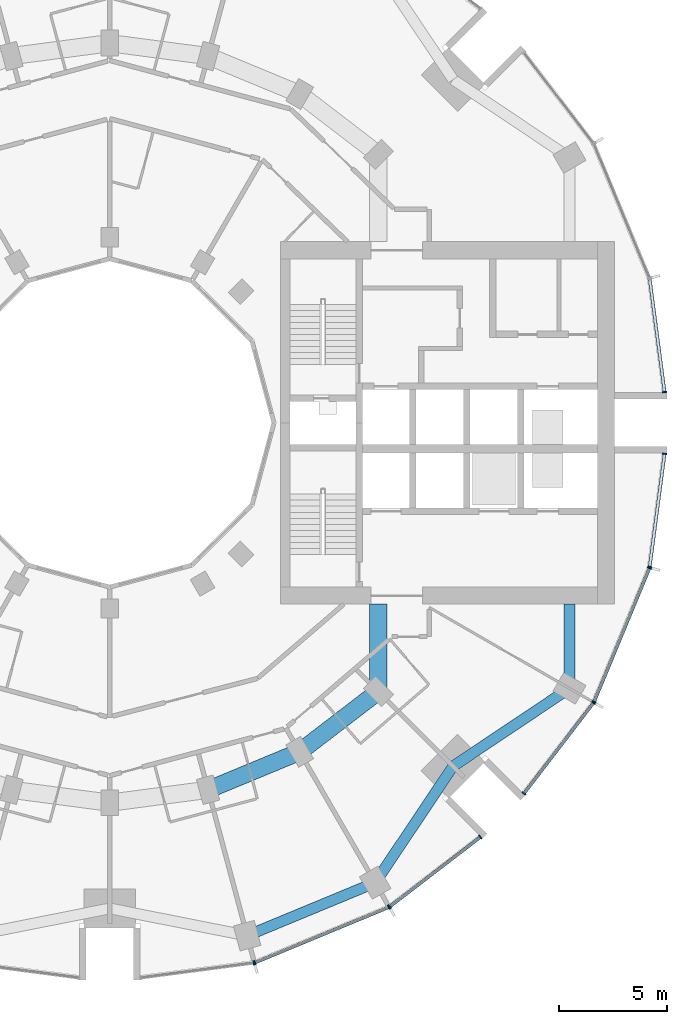
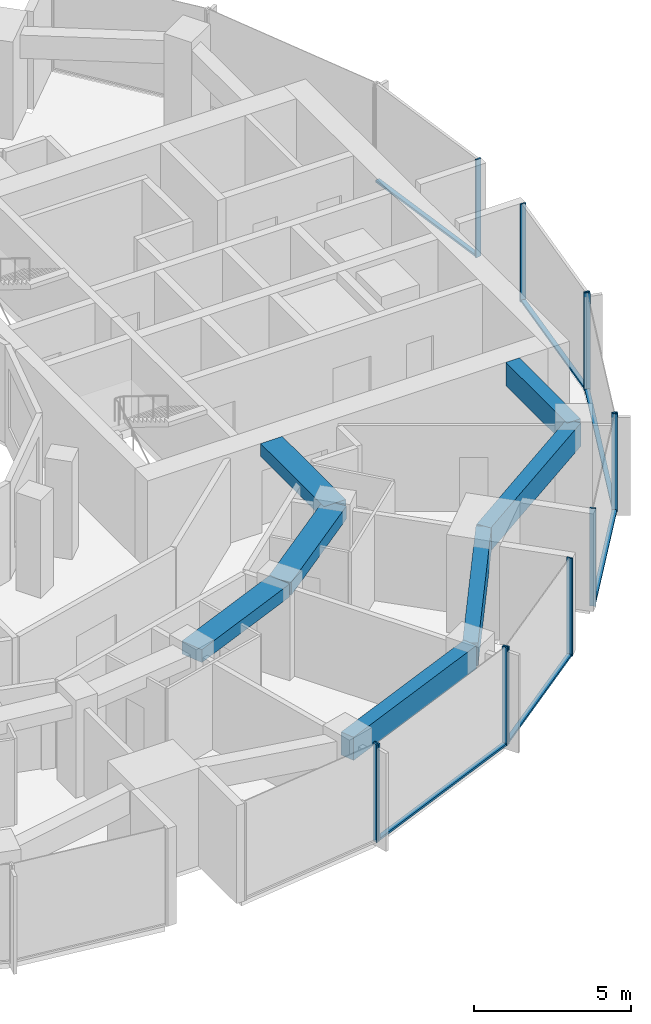
# One storey, part 4 of 15: 18 members, 7 beams, 7 elements without a shape of their own.
"""IFC4 building model written with IfcOpenShell, lengths in metres."""

from ifc_helpers import new_model, si_unit, direction, frame, origin, origin_2d, place, context, subcontext, project, spatial, rectangle, extrude, material, layer, layer_set, material_profile, profile_set, type_object, element, aggregate, save


model = new_model("IFC4")

# Units and contexts
model_context = context("Model", 3, precision=1e-05, world=origin(), true_north=direction((0.0, 1.0)))
body_context = subcontext(model_context, "Body", "Model", "MODEL_VIEW")
ifc_project = project(units=[si_unit("LENGTHUNIT", "METRE"), si_unit("AREAUNIT", "SQUARE_METRE"), si_unit("VOLUMEUNIT", "CUBIC_METRE"), si_unit("PLANEANGLEUNIT", "RADIAN"), si_unit("MASSUNIT", "GRAM", prefix="KILO")], contexts=[model_context])

# Site, building, storey
site_placement = place(None, origin())
site = spatial("IfcSite", under=ifc_project, at=site_placement, CompositionType="ELEMENT")
building_placement = place(site_placement, origin())
building = spatial("IfcBuilding", under=site, at=building_placement, Name="Torre Brocal", CompositionType="ELEMENT")
storey_placement = place(building_placement, frame((0.0, 0.0, 66.800048828125)))
storey = spatial("IfcBuildingStorey", under=building, at=storey_placement, Name="L15", CompositionType="ELEMENT", Elevation=66.800048828125)

# Curtain wall, member
ifc_material_1 = material(Name="Aluminium and glass", Category="aluminium")
ifc_layer_1 = layer(ifc_material_1, 0.199951171875)
ifc_layer_set_1 = layer_set([ifc_layer_1], Name="Aluminium and glass")
curtain_wall_type_1 = type_object("IfcCurtainWallType", Name="CW-1 CURTAIN WALL 3800 HIGH", PredefinedType="NOTDEFINED", material=ifc_layer_set_1)
curtain_wall_1_placement = place(storey_placement, origin())
curtain_wall_1 = element("IfcCurtainWall", 1, at=curtain_wall_1_placement, inside=storey, type_object=curtain_wall_type_1, Name="CW-1 RUN 19", PredefinedType="NOTDEFINED")
ifc_material_2 = material(Name="Aluminium, dark anodised", Category="aluminium")
ifc_material_profile_1 = material_profile(ifc_material_2, rectangle(XDim=0.199951171875, YDim=0.06005859375, at=origin_2d()), Name="CW-1 MULLION 60X200")
ifc_profile_set_1 = profile_set([ifc_material_profile_1], Name="Aluminium, dark anodised")
member_type_1 = type_object("IfcMemberType", Name="CW-1 MULLION 60X200", PredefinedType="MULLION", material=ifc_profile_set_1)
member_1_placement = place(storey_placement, frame((86.67333984375, 49.9794921875, 0.0), z_axis=(0.0, 0.0, 1.0), x_axis=(-0.13052619222, 0.991444861374, 0.0)))
member_1 = element("IfcMember", 2, at=member_1_placement, type_object=member_type_1, Name="CW1-1 mullion 2", PredefinedType="MULLION", context=body_context, shape_type="SweptSolid", body=[
    extrude(rectangle(XDim=0.199951171875, YDim=0.06005859375, at=origin_2d()), origin(), (0.0, 0.0, 1.0), 3.800048828125),
])
aggregate(curtain_wall_1, [member_1])

# Curtain wall, members
curtain_wall_2_placement = place(storey_placement, origin())
curtain_wall_2 = element("IfcCurtainWall", 3, at=curtain_wall_2_placement, inside=storey, type_object=curtain_wall_type_1, Name="CW-1 RUN 20", PredefinedType="NOTDEFINED")
member_2_placement = place(storey_placement, frame((86.73095703125, 49.994873046875, 0.0), z_axis=(0.0, 0.0, 1.0), x_axis=(-0.382683432333, 0.923879532525, 0.0)))
member_2 = element("IfcMember", 4, at=member_2_placement, type_object=member_type_1, Name="CW1-1 mullion 1", PredefinedType="MULLION", context=body_context, shape_type="SweptSolid", body=[
    extrude(rectangle(XDim=0.199951171875, YDim=0.06005859375, at=origin_2d()), origin(), (0.0, 0.0, 1.0), 3.800048828125),
])
member_3_placement = place(storey_placement, frame((92.921875, 52.559326171875, 0.0), z_axis=(0.0, 0.0, 1.0), x_axis=(-0.382683432333, 0.923879532525, 0.0)))
member_3 = element("IfcMember", 5, at=member_3_placement, type_object=member_type_1, Name="CW1-1 mullion 2", PredefinedType="MULLION", context=body_context, shape_type="SweptSolid", body=[
    extrude(rectangle(XDim=0.199951171875, YDim=0.06005859375, at=origin_2d()), origin(), (0.0, 0.0, 1.0), 3.800048828125),
])

curtain_wall_3_placement = place(storey_placement, origin())
curtain_wall_3 = element("IfcCurtainWall", 6, at=curtain_wall_3_placement, inside=storey, type_object=curtain_wall_type_1, Name="CW-1 RUN 21", PredefinedType="NOTDEFINED")
member_4_placement = place(storey_placement, frame((92.973388671875, 52.5888671875, 0.0), z_axis=(0.0, 0.0, 1.0), x_axis=(-0.60876142905, 0.793353340259, 0.0)))
member_4 = element("IfcMember", 7, at=member_4_placement, type_object=member_type_1, Name="CW1-1 mullion 1", PredefinedType="MULLION", context=body_context, shape_type="SweptSolid", body=[
    extrude(rectangle(XDim=0.199951171875, YDim=0.06005859375, at=origin_2d()), origin(), (0.0, 0.0, 1.0), 3.800048828125),
])
member_5_placement = place(storey_placement, frame((97.16943359375, 55.80859375, 0.0), z_axis=(0.0, 0.0, 1.0), x_axis=(-0.60876142905, 0.793353340259, 0.0)))
member_5 = element("IfcMember", 8, at=member_5_placement, type_object=member_type_1, Name="CW1-1 mullion 2", PredefinedType="MULLION", context=body_context, shape_type="SweptSolid", body=[
    extrude(rectangle(XDim=0.199951171875, YDim=0.06005859375, at=origin_2d()), origin(), (0.0, 0.0, 1.0), 3.800048828125),
])

curtain_wall_4_placement = place(storey_placement, origin())
curtain_wall_4 = element("IfcCurtainWall", 9, at=curtain_wall_4_placement, inside=storey, type_object=curtain_wall_type_1, Name="CW-1 RUN 22", PredefinedType="NOTDEFINED")
member_6_placement = place(storey_placement, frame((99.19140625, 57.83056640625, 0.0), z_axis=(0.0, 0.0, 1.0), x_axis=(-0.793353340259, 0.60876142905, 0.0)))
member_6 = element("IfcMember", 10, at=member_6_placement, type_object=member_type_1, Name="CW1-1 mullion 1", PredefinedType="MULLION", context=body_context, shape_type="SweptSolid", body=[
    extrude(rectangle(XDim=0.199951171875, YDim=0.06005859375, at=origin_2d()), origin(), (0.0, 0.0, 1.0), 3.800048828125),
])
member_7_placement = place(storey_placement, frame((102.4111328125, 62.026611328125, 0.0), z_axis=(0.0, 0.0, 1.0), x_axis=(-0.793353340259, 0.60876142905, 0.0)))
member_7 = element("IfcMember", 11, at=member_7_placement, type_object=member_type_1, Name="CW1-1 mullion 2", PredefinedType="MULLION", context=body_context, shape_type="SweptSolid", body=[
    extrude(rectangle(XDim=0.199951171875, YDim=0.06005859375, at=origin_2d()), origin(), (0.0, 0.0, 1.0), 3.800048828125),
])

curtain_wall_5_placement = place(storey_placement, origin())
curtain_wall_5 = element("IfcCurtainWall", 12, at=curtain_wall_5_placement, inside=storey, type_object=curtain_wall_type_1, Name="CW-1 RUN 23", PredefinedType="NOTDEFINED")
member_8_placement = place(storey_placement, frame((102.440673828125, 62.078125, 0.0), z_axis=(0.0, 0.0, 1.0), x_axis=(-0.923879532525, 0.382683432333, 0.0)))
member_8 = element("IfcMember", 13, at=member_8_placement, type_object=member_type_1, Name="CW1-1 mullion 1", PredefinedType="MULLION", context=body_context, shape_type="SweptSolid", body=[
    extrude(rectangle(XDim=0.199951171875, YDim=0.06005859375, at=origin_2d()), origin(), (0.0, 0.0, 1.0), 3.800048828125),
])
member_9_placement = place(storey_placement, frame((105.005126953125, 68.26904296875, 0.0), z_axis=(0.0, 0.0, 1.0), x_axis=(-0.923879532525, 0.382683432333, 0.0)))
member_9 = element("IfcMember", 14, at=member_9_placement, type_object=member_type_1, Name="CW1-1 mullion 2", PredefinedType="MULLION", context=body_context, shape_type="SweptSolid", body=[
    extrude(rectangle(XDim=0.199951171875, YDim=0.06005859375, at=origin_2d()), origin(), (0.0, 0.0, 1.0), 3.800048828125),
])

# Member
ifc_material_3 = material(Name="Aluminium, dark anodised", Category="aluminium")
ifc_material_profile_2 = material_profile(ifc_material_3, rectangle(XDim=0.159912109375, YDim=0.080078125, at=origin_2d()), Name="CW-1 TRANSOM 160X80")
ifc_profile_set_2 = profile_set([ifc_material_profile_2], Name="Aluminium, dark anodised")
member_type_2 = type_object("IfcMemberType", Name="CW-1 TRANSOM 160X80", PredefinedType="USERDEFINED", material=ifc_profile_set_2)
member_10_placement = place(storey_placement, frame((86.758544921875, 50.00634765625, 0.0400390625), z_axis=(0.923887344364, 0.38266457234, 0.0), x_axis=(-0.38266457234, 0.923887344364, 0.0)))
member_10 = element("IfcMember", 15, at=member_10_placement, type_object=member_type_2, Name="CW1-1 transom 1.1", ObjectType="TRANSOM", PredefinedType="USERDEFINED", context=body_context, shape_type="SweptSolid", body=[
    extrude(rectangle(XDim=0.159912109375, YDim=0.080078125, at=origin_2d()), origin(), (0.0, 0.0, 1.0), 6.640869140625),
])

aggregate(curtain_wall_2, [member_2, member_3, member_10])

member_11_placement = place(storey_placement, frame((92.9970703125, 52.607177734375, 0.0400390625), z_axis=(0.79336281513, 0.60874908096, 0.0), x_axis=(-0.60874908096, 0.79336281513, 0.0)))
member_11 = element("IfcMember", 16, at=member_11_placement, type_object=member_type_2, Name="CW1-1 transom 1.1", ObjectType="TRANSOM", PredefinedType="USERDEFINED", context=body_context, shape_type="SweptSolid", body=[
    extrude(rectangle(XDim=0.159912109375, YDim=0.080078125, at=origin_2d()), origin(), (0.0, 0.0, 1.0), 5.22900390625),
])

aggregate(curtain_wall_3, [member_4, member_5, member_11])

member_12_placement = place(storey_placement, frame((99.209716796875, 57.8544921875, 0.0400390625), z_axis=(0.60874908096, 0.79336281513, 0.0), x_axis=(-0.79336281513, 0.60874908096, 0.0)))
member_12 = element("IfcMember", 17, at=member_12_placement, type_object=member_type_2, Name="CW1-1 transom 1.1", ObjectType="TRANSOM", PredefinedType="USERDEFINED", context=body_context, shape_type="SweptSolid", body=[
    extrude(rectangle(XDim=0.159912109375, YDim=0.080078125, at=origin_2d()), origin(), (0.0, 0.0, 1.0), 5.22900390625),
])

aggregate(curtain_wall_4, [member_6, member_7, member_12])

member_13_placement = place(storey_placement, frame((102.452392578125, 62.10595703125, 0.0400390625), z_axis=(0.38266457234, 0.923887344364, 0.0), x_axis=(-0.923887344364, 0.38266457234, 0.0)))
member_13 = element("IfcMember", 18, at=member_13_placement, type_object=member_type_2, Name="CW1-1 transom 1.1", ObjectType="TRANSOM", PredefinedType="USERDEFINED", context=body_context, shape_type="SweptSolid", body=[
    extrude(rectangle(XDim=0.159912109375, YDim=0.080078125, at=origin_2d()), origin(), (0.0, 0.0, 1.0), 6.640869140625),
])

aggregate(curtain_wall_5, [member_8, member_9, member_13])

# Curtain wall, member
ifc_material_4 = material(Name="Aluminium and glass", Category="aluminium")
ifc_layer_2 = layer(ifc_material_4, 0.199951171875)
ifc_layer_set_2 = layer_set([ifc_layer_2], Name="Aluminium and glass")
curtain_wall_type_2 = type_object("IfcCurtainWallType", Name="CW-1B CURTAIN WALL 3800 HIGH", PredefinedType="NOTDEFINED", material=ifc_layer_set_2)
curtain_wall_6_placement = place(storey_placement, origin())
curtain_wall_6 = element("IfcCurtainWall", 19, at=curtain_wall_6_placement, inside=storey, type_object=curtain_wall_type_2, Name="CW-1B RUN 1", PredefinedType="NOTDEFINED")
ifc_material_5 = material(Name="Aluminium, dark anodised", Category="aluminium")
ifc_material_profile_3 = material_profile(ifc_material_5, rectangle(XDim=0.199951171875, YDim=0.06005859375, at=origin_2d()), Name="CW-1B MULLION 60X200")
ifc_profile_set_3 = profile_set([ifc_material_profile_3], Name="Aluminium, dark anodised")
member_type_3 = type_object("IfcMemberType", Name="CW-1B MULLION 60X200", PredefinedType="MULLION", material=ifc_profile_set_3)
member_14_placement = place(storey_placement, frame((105.7109375, 76.4296875, 0.0), z_axis=(0.0, 0.0, 1.0), x_axis=(-0.991444861374, -0.13052619222, 0.0)))
member_14 = element("IfcMember", 20, at=member_14_placement, type_object=member_type_3, Name="CW1B-1 mullion 1", PredefinedType="MULLION", context=body_context, shape_type="SweptSolid", body=[
    extrude(rectangle(XDim=0.199951171875, YDim=0.06005859375, at=origin_2d()), origin(), (0.0, 0.0, 1.0), 3.800048828125),
])

# Curtain wall, members
curtain_wall_7_placement = place(storey_placement, origin())
curtain_wall_7 = element("IfcCurtainWall", 21, at=curtain_wall_7_placement, inside=storey, type_object=curtain_wall_type_2, Name="CW-1B RUN 24", PredefinedType="NOTDEFINED")
member_15_placement = place(storey_placement, frame((105.0205078125, 68.32666015625, 0.0), z_axis=(0.0, 0.0, 1.0), x_axis=(-0.991444861374, 0.13052619222, 0.0)))
member_15 = element("IfcMember", 22, at=member_15_placement, type_object=member_type_3, Name="CW1B-1 mullion 1", PredefinedType="MULLION", context=body_context, shape_type="SweptSolid", body=[
    extrude(rectangle(XDim=0.199951171875, YDim=0.06005859375, at=origin_2d()), origin(), (0.0, 0.0, 1.0), 3.800048828125),
])
member_16_placement = place(storey_placement, frame((105.7109375, 73.5703125, 0.0), z_axis=(0.0, 0.0, 1.0), x_axis=(-0.991444861374, 0.13052619222, 0.0)))
member_16 = element("IfcMember", 23, at=member_16_placement, type_object=member_type_3, Name="CW1B-1 mullion 2", PredefinedType="MULLION", context=body_context, shape_type="SweptSolid", body=[
    extrude(rectangle(XDim=0.199951171875, YDim=0.06005859375, at=origin_2d()), origin(), (0.0, 0.0, 1.0), 3.800048828125),
])

# Member
ifc_material_6 = material(Name="Aluminium, dark anodised", Category="aluminium")
ifc_material_profile_4 = material_profile(ifc_material_6, rectangle(XDim=0.159912109375, YDim=0.080078125, at=origin_2d()), Name="CW-1B TRANSOM 160X80")
ifc_profile_set_4 = profile_set([ifc_material_profile_4], Name="Aluminium, dark anodised")
member_type_4 = type_object("IfcMemberType", Name="CW-1B TRANSOM 160X80", PredefinedType="USERDEFINED", material=ifc_profile_set_4)
member_17_placement = place(storey_placement, frame((105.70703125, 76.45947265625, 0.0400390625), z_axis=(-0.130542677827, 0.991442690863, 0.0), x_axis=(-0.991442690863, -0.130542677827, 0.0)))
member_17 = element("IfcMember", 24, at=member_17_placement, type_object=member_type_4, Name="CW1B-1 transom 1.1", ObjectType="TRANSOM", PredefinedType="USERDEFINED", context=body_context, shape_type="SweptSolid", body=[
    extrude(rectangle(XDim=0.159912109375, YDim=0.080078125, at=origin_2d()), origin(), (0.0, 0.0, 1.0), 5.22900390625),
])

aggregate(curtain_wall_6, [member_14, member_17])

member_18_placement = place(storey_placement, frame((105.0244140625, 68.356201171875, 0.0400390625), z_axis=(0.130542677827, 0.991442690863, 0.0), x_axis=(-0.991442690863, 0.130542677827, 0.0)))
member_18 = element("IfcMember", 25, at=member_18_placement, type_object=member_type_4, Name="CW1B-1 transom 1.1", ObjectType="TRANSOM", PredefinedType="USERDEFINED", context=body_context, shape_type="SweptSolid", body=[
    extrude(rectangle(XDim=0.159912109375, YDim=0.080078125, at=origin_2d()), origin(), (0.0, 0.0, 1.0), 5.22900390625),
])

aggregate(curtain_wall_7, [member_15, member_16, member_18])

# Beams
ifc_material_7 = material(Name="Concrete C50", Category="concrete")
ifc_material_profile_5 = material_profile(ifc_material_7, rectangle(XDim=0.800048828125, YDim=0.5, at=origin_2d()), Name="RC 800X500")
ifc_profile_set_5 = profile_set([ifc_material_profile_5], Name="Concrete C50")
beam_type_1 = type_object("IfcBeamType", Name="RC BEAM 800X500 C50 TOP 3480", PredefinedType="BEAM", material=ifc_profile_set_5)
beam_1_placement = place(storey_placement, frame((84.55517578125, 57.999755859375, 3.22998046875), z_axis=(0.923878240166, 0.382686552348, 0.0), x_axis=(-0.382686552348, 0.923878240166, 0.0)))
element("IfcBeam", 26, at=beam_1_placement, inside=storey, type_object=beam_type_1, Name="Beam BT-19", PredefinedType="BEAM", context=body_context, shape_type="SweptSolid", body=[
    extrude(rectangle(XDim=0.800048828125, YDim=0.5, at=origin_2d()), origin(), (0.0, 0.0, 1.0), 4.5947265625),
])
beam_2_placement = place(storey_placement, frame((88.800048828125, 59.758056640625, 3.22998046875), z_axis=(0.793358265959, 0.6087550097, 0.0), x_axis=(-0.6087550097, 0.793358265959, 0.0)))
element("IfcBeam", 27, at=beam_2_placement, inside=storey, type_object=beam_type_1, Name="Beam BT-19", PredefinedType="BEAM", context=body_context, shape_type="SweptSolid", body=[
    extrude(rectangle(XDim=0.800048828125, YDim=0.5, at=origin_2d()), origin(), (0.0, 0.0, 1.0), 4.594482421875),
])
beam_3_placement = place(storey_placement, frame((92.445068359375, 62.554931640625, 3.22998046875), z_axis=(0.0, 1.0, 0.0), x_axis=(-1.0, 0.0, 0.0)))
element("IfcBeam", 28, at=beam_3_placement, inside=storey, type_object=beam_type_1, Name="Beam BT-19", PredefinedType="BEAM", context=body_context, shape_type="SweptSolid", body=[
    extrude(rectangle(XDim=0.800048828125, YDim=0.5, at=origin_2d()), origin(), (0.0, 0.0, 1.0), 4.045166015625),
])
ifc_material_8 = material(Name="Concrete C50", Category="concrete")
ifc_material_profile_6 = material_profile(ifc_material_8, rectangle(XDim=0.5, YDim=0.89990234375, at=origin_2d()), Name="RC 500X900")
ifc_profile_set_6 = profile_set([ifc_material_profile_6], Name="Concrete C50")
beam_type_2 = type_object("IfcBeamType", Name="RC SPANDREL BEAM 500X900 C50 TOP 3480", PredefinedType="SPANDREL", material=ifc_profile_set_6)
beam_4_placement = place(storey_placement, frame((86.366943359375, 51.23828125, 3.030029296875), z_axis=(0.923882462513, 0.382676358639, 0.0), x_axis=(-0.382676358639, 0.923882462513, 0.0)))
element("IfcBeam", 29, at=beam_4_placement, inside=storey, type_object=beam_type_2, Name="Beam BT-20", PredefinedType="SPANDREL", context=body_context, shape_type="SweptSolid", body=[
    extrude(rectangle(XDim=0.5, YDim=0.89990234375, at=origin_2d()), origin(), (0.0, 0.0, 1.0), 6.421875),
])
for number, where, z_axis, x_axis, name in (
    (30, (92.300048828125, 53.69580078125, 3.030029296875), (0.556157602282, 0.831076844476, 0.0), (-0.831076844476, 0.556157602282, 0.0), "Beam BT-20"),
    (31, (95.909912109375, 59.090087890625, 3.030029296875), (0.831076844476, 0.556157602282, 0.0), (-0.556157602282, 0.831076844476, 0.0), "Beam BT-20"),
):
    element("IfcBeam", number, at=place(storey_placement, frame(where, z_axis=z_axis, x_axis=x_axis)), inside=storey, type_object=beam_type_2, Name=name, PredefinedType="SPANDREL", context=body_context, shape_type="SweptSolid", body=[
        extrude(rectangle(XDim=0.5, YDim=0.89990234375, at=origin_2d()), origin(), (0.0, 0.0, 1.0), 6.49072265625),
    ])
beam_5_placement = place(storey_placement, frame((101.30419921875, 62.699951171875, 3.030029296875), z_axis=(0.0, 1.0, 0.0), x_axis=(-1.0, 0.0, 0.0)))
element("IfcBeam", 32, at=beam_5_placement, inside=storey, type_object=beam_type_2, Name="Beam BT-20", PredefinedType="SPANDREL", context=body_context, shape_type="SweptSolid", body=[
    extrude(rectangle(XDim=0.5, YDim=0.89990234375, at=origin_2d()), origin(), (0.0, 0.0, 1.0), 3.900146484375),
])

save(model, "model.ifc")
